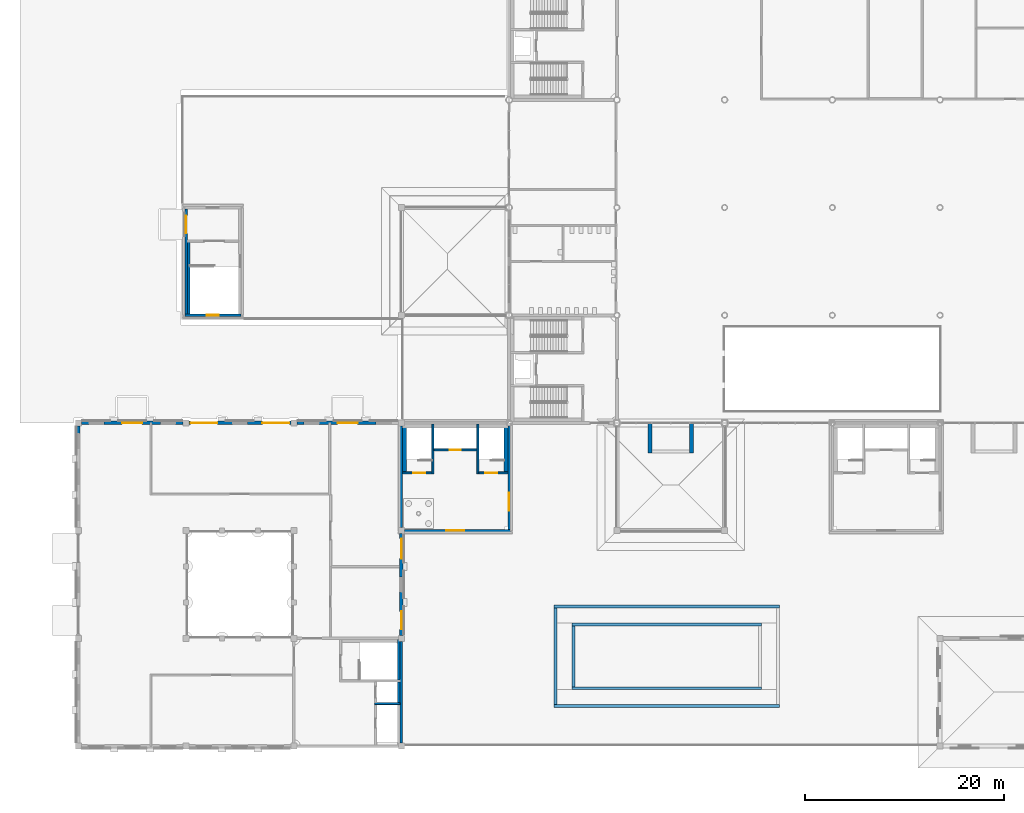
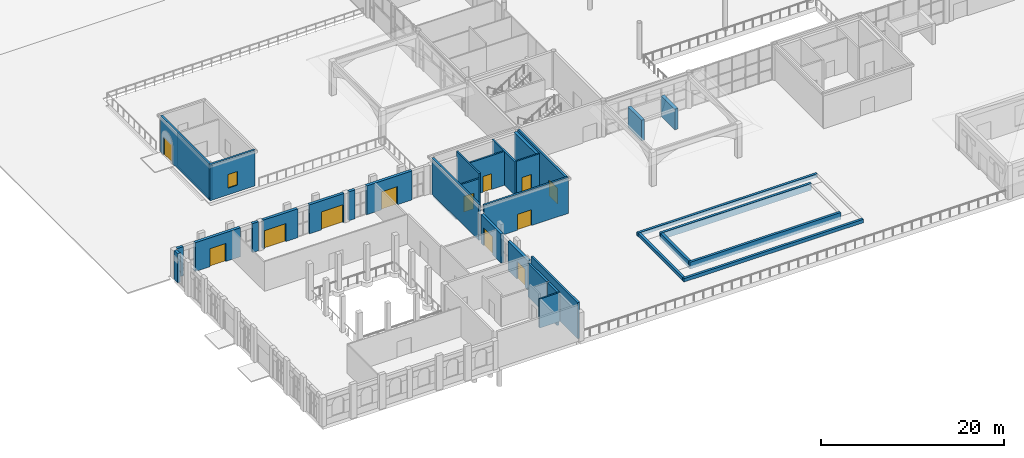
# One storey, part 45 of 91: 35 walls, 12 doors, 1 window, 13 openings.
"""IFC4 building model written with IfcOpenShell, lengths in metres."""

from ifc_helpers import new_model, si_unit, direction, frame, frame_2d, origin, place, context, subcontext, project, spatial, rectangle, extrude, material, layer, layer_set, type_object, element, fill, save


model = new_model("IFC4")

# Units and contexts
model_context = context("Model", 3, precision=1e-05, world=origin(), true_north=direction((0.0, 1.0)))
body_context = subcontext(model_context, "Body", "Model", "MODEL_VIEW")
ifc_project = project(units=[si_unit("LENGTHUNIT", "METRE"), si_unit("AREAUNIT", "SQUARE_METRE"), si_unit("VOLUMEUNIT", "CUBIC_METRE"), si_unit("PLANEANGLEUNIT", "RADIAN"), si_unit("MASSUNIT", "GRAM", prefix="KILO")], contexts=[model_context])

# Site, building, storey
site_placement = place(None, origin())
site = spatial("IfcSite", under=ifc_project, at=site_placement, CompositionType="ELEMENT")
building_placement = place(site_placement, origin())
building = spatial("IfcBuilding", under=site, at=building_placement, Name="Magnolia Steps Interchange", CompositionType="ELEMENT")
storey_placement = place(building_placement, origin())
storey = spatial("IfcBuildingStorey", under=building, at=storey_placement, Name="L00", CompositionType="ELEMENT", Elevation=0.0)

# Wall
ifc_material_1 = material(Name="Concrete C35", Category="concrete")
ifc_layer_1 = layer(ifc_material_1, 0.199951171875)
ifc_layer_set_1 = layer_set([ifc_layer_1], Name="Core enclosure wall 200")
wall_type_1 = type_object("IfcWallType", Name="Core enclosure wall 200", PredefinedType="SOLIDWALL", material=ifc_layer_set_1)
wall_1_placement = place(storey_placement, frame((21.050048828125, 60.72509765625, 0.0), z_axis=(0.0, 0.0, 1.0), x_axis=(0.0, -1.0, 0.0)))
element("IfcWall", 1, at=wall_1_placement, inside=storey, type_object=wall_type_1, Name="L00 BE-W enclosure wall", PredefinedType="SOLIDWALL", context=body_context, shape_type="SweptSolid", body=[
    extrude(rectangle(XDim=7.400146484375, YDim=0.25, at=frame_2d((3.7001953125, 0.0))), origin(), (0.0, 0.0, 1.0), 4.39990234375),
])

# Wall, opening, door
wall_2_placement = place(storey_placement, frame((42.52490234375, 37.39990234375, 0.0), z_axis=(0.0, 0.0, 1.0), x_axis=(1.0, 0.0, 0.0)))
wall_2 = element("IfcWall", 2, at=wall_2_placement, inside=storey, type_object=wall_type_1, Name="L00 BC1 enclosure wall", PredefinedType="SOLIDWALL", context=body_context, shape_type="SweptSolid", body=[
    extrude(rectangle(XDim=2.925048828125, YDim=0.199951171875, at=frame_2d((1.46240234375, 0.0))), origin(), (0.0, 0.0, 1.0), 3.85009765625),
])
opening_1_placement = place(wall_2_placement, frame((1.050048828125, 0.0, 0.0)))
opening_1 = element("IfcOpeningElement", 3, at=opening_1_placement, cuts=wall_2, Name="Opening D-BC1-L00-1", PredefinedType="OPENING", context=body_context, shape_type="SweptSolid", body=[
    extrude(rectangle(XDim=1.199951171875, YDim=2.10009765625, at=frame_2d((0.60009765625, 1.050048828125))), frame((0.0, 0.10986328125, 0.0), z_axis=(0.0, -1.0, 0.0), x_axis=(1.0, 0.0, 0.0)), (0.0, 0.0, 1.0), 0.219970703125),
])
ifc_material_2 = material(Name="Painted steel", Category="steel")
door_type_1 = type_object("IfcDoorType", Name="Stair fire door 1200x2100", OperationType="NOTDEFINED", PredefinedType="DOOR", material=ifc_material_2)
door_1_placement = place(opening_1_placement, frame((1.199951171875, 0.0, 0.0), z_axis=(0.0, 0.0, 1.0), x_axis=(-1.0, 0.0, 0.0)))
door_1 = element("IfcDoor", 4, at=door_1_placement, inside=storey, type_object=door_type_1, Name="Stair door ST17 L00", OperationType="SINGLE_SWING_LEFT", OverallHeight=2.10009765625, OverallWidth=1.199951171875, PredefinedType="DOOR", context=body_context, shape_type="SweptSolid", body=[
    extrude(rectangle(XDim=1.199951171875, YDim=2.10009765625, at=frame_2d((0.60009765625, 1.050048828125))), frame((0.0, 0.02490234375, 0.0), z_axis=(0.0, -1.0, 0.0), x_axis=(1.0, 0.0, 0.0)), (0.0, 0.0, 1.0), 0.050048828125),
])
fill(opening_1, door_1)

# Wall
wall_3_placement = place(storey_placement, frame((45.550048828125, 37.300048828125, 0.0), z_axis=(0.0, 0.0, 1.0), x_axis=(0.0, 1.0, 0.0)))
element("IfcWall", 5, at=wall_3_placement, inside=storey, type_object=wall_type_1, Name="L00 BC1 enclosure wall", PredefinedType="SOLIDWALL", context=body_context, shape_type="SweptSolid", body=[
    extrude(rectangle(XDim=4.974853515625, YDim=0.199951171875, at=frame_2d((2.4873046875, 0.0))), origin(), (0.0, 0.0, 1.0), 4.5),
])

# Wall, opening, door
wall_4_placement = place(storey_placement, frame((45.64990234375, 39.699951171875, 0.0), z_axis=(0.0, 0.0, 1.0), x_axis=(1.0, 0.0, 0.0)))
wall_4 = element("IfcWall", 6, at=wall_4_placement, inside=storey, type_object=wall_type_1, Name="L00 BC1 enclosure wall", PredefinedType="SOLIDWALL", context=body_context, shape_type="SweptSolid", body=[
    extrude(rectangle(XDim=4.300048828125, YDim=0.199951171875, at=frame_2d((2.14990234375, 0.0))), origin(), (0.0, 0.0, 1.0), 4.5),
])
opening_2_placement = place(wall_4_placement, frame((1.60009765625, 0.0, 0.0)))
opening_2 = element("IfcOpeningElement", 7, at=opening_2_placement, cuts=wall_4, Name="Opening LD", PredefinedType="OPENING", context=body_context, shape_type="SweptSolid", body=[
    extrude(rectangle(XDim=1.10009765625, YDim=2.10009765625, at=frame_2d((0.550048828125, 1.050048828125))), frame((0.0, 0.10986328125, 0.0), z_axis=(0.0, -1.0, 0.0), x_axis=(1.0, 0.0, 0.0)), (0.0, 0.0, 1.0), 0.219970703125),
])
ifc_material_3 = material(Name="Stainless steel grade 304", Category="steel")
door_type_2 = type_object("IfcDoorType", Name="Lift landing door 1100x2100", OperationType="DOUBLE_DOOR_SLIDING", PredefinedType="DOOR", material=ifc_material_3)
door_2_placement = place(opening_2_placement, frame((1.10009765625, 0.0, 0.0), z_axis=(0.0, 0.0, 1.0), x_axis=(-1.0, 0.0, 0.0)))
door_2 = element("IfcDoor", 8, at=door_2_placement, inside=storey, type_object=door_type_2, Name="Lift landing door LF8 L00", OperationType="DOUBLE_DOOR_SLIDING", OverallHeight=2.10009765625, OverallWidth=1.10009765625, PredefinedType="DOOR", context=body_context, shape_type="SweptSolid", body=[
    extrude(rectangle(XDim=1.10009765625, YDim=2.10009765625, at=frame_2d((0.550048828125, 1.050048828125))), frame((0.0, 0.02490234375, 0.0), z_axis=(0.0, -1.0, 0.0), x_axis=(1.0, 0.0, 0.0)), (0.0, 0.0, 1.0), 0.050048828125),
])
fill(opening_2, door_2)

# Wall
wall_5_placement = place(storey_placement, frame((50.050048828125, 37.300048828125, 0.0), z_axis=(0.0, 0.0, 1.0), x_axis=(0.0, 1.0, 0.0)))
element("IfcWall", 9, at=wall_5_placement, inside=storey, type_object=wall_type_1, Name="L00 BC1 enclosure wall", PredefinedType="SOLIDWALL", context=body_context, shape_type="SweptSolid", body=[
    extrude(rectangle(XDim=4.974853515625, YDim=0.199951171875, at=frame_2d((2.4873046875, 0.0))), origin(), (0.0, 0.0, 1.0), 4.5),
])

# Wall, opening, door
wall_6_placement = place(storey_placement, frame((50.14990234375, 37.39990234375, 0.0), z_axis=(0.0, 0.0, 1.0), x_axis=(1.0, 0.0, 0.0)))
wall_6 = element("IfcWall", 10, at=wall_6_placement, inside=storey, type_object=wall_type_1, Name="L00 BC1 enclosure wall", PredefinedType="SOLIDWALL", context=body_context, shape_type="SweptSolid", body=[
    extrude(rectangle(XDim=2.925048828125, YDim=0.199951171875, at=frame_2d((1.46240234375, 0.0))), origin(), (0.0, 0.0, 1.0), 4.5),
])
opening_3_placement = place(wall_6_placement, frame((0.675048828125, 0.0, 0.0)))
opening_3 = element("IfcOpeningElement", 11, at=opening_3_placement, cuts=wall_6, Name="Opening D-BC1-L00-2", PredefinedType="OPENING", context=body_context, shape_type="SweptSolid", body=[
    extrude(rectangle(XDim=1.199951171875, YDim=2.10009765625, at=frame_2d((0.60009765625, 1.050048828125))), frame((0.0, 0.10986328125, 0.0), z_axis=(0.0, -1.0, 0.0), x_axis=(1.0, 0.0, 0.0)), (0.0, 0.0, 1.0), 0.219970703125),
])
door_3_placement = place(opening_3_placement, frame((1.199951171875, 0.0, 0.0), z_axis=(0.0, 0.0, 1.0), x_axis=(-1.0, 0.0, 0.0)))
door_3 = element("IfcDoor", 12, at=door_3_placement, inside=storey, type_object=door_type_1, Name="Stair door ST18 L00", OperationType="SINGLE_SWING_RIGHT", OverallHeight=2.10009765625, OverallWidth=1.199951171875, PredefinedType="DOOR", context=body_context, shape_type="SweptSolid", body=[
    extrude(rectangle(XDim=1.199951171875, YDim=2.10009765625, at=frame_2d((0.60009765625, 1.050048828125))), frame((0.0, 0.02490234375, 0.0), z_axis=(0.0, -1.0, 0.0), x_axis=(1.0, 0.0, 0.0)), (0.0, 0.0, 1.0), 0.050048828125),
])
fill(opening_3, door_3)

# Walls
wall_7_placement = place(storey_placement, frame((39.699951171875, 14.25, 0.0), z_axis=(0.0, 0.0, 1.0), x_axis=(1.0, 0.0, 0.0)))
element("IfcWall", 13, at=wall_7_placement, inside=storey, type_object=wall_type_1, Name="L00 HB1 enclosure wall", PredefinedType="SOLIDWALL", context=body_context, shape_type="SweptSolid", body=[
    extrude(rectangle(XDim=2.574951171875, YDim=0.199951171875, at=frame_2d((1.28759765625, 0.0))), origin(), (0.0, 0.0, 1.0), 3.85009765625),
])
ifc_material_4 = material(Name="Concrete C35", Category="concrete")
ifc_layer_2 = layer(ifc_material_4, 0.27490234375)
ifc_layer_set_2 = layer_set([ifc_layer_2], Name="Core lining wall 275")
wall_type_2 = type_object("IfcWallType", Name="Core lining wall 275", PredefinedType="SOLIDWALL", material=ifc_layer_set_2)
wall_8_placement = place(storey_placement, frame((42.137451171875, 20.675048828125, -0.60009765625), z_axis=(0.0, 0.0, 1.0), x_axis=(0.0, -1.0, 0.0)))
element("IfcWall", 14, at=wall_8_placement, inside=storey, type_object=wall_type_2, Name="L00 HB1 stair lining wall", PredefinedType="SOLIDWALL", context=body_context, shape_type="SweptSolid", body=[
    extrude(rectangle(XDim=4.025146484375, YDim=0.27490234375, at=frame_2d((2.0126953125, 0.0))), origin(), (0.0, 0.0, 1.0), 4.4501953125),
])
wall_9_placement = place(storey_placement, frame((42.137451171875, 16.449951171875, -0.60009765625), z_axis=(0.0, 0.0, 1.0), x_axis=(0.0, -1.0, 0.0)))
element("IfcWall", 15, at=wall_9_placement, inside=storey, type_object=wall_type_2, Name="L00 HB1 stair lining wall", PredefinedType="SOLIDWALL", context=body_context, shape_type="SweptSolid", body=[
    extrude(rectangle(XDim=2.099853515625, YDim=0.27490234375, at=frame_2d((1.0498046875, 0.0))), origin(), (0.0, 0.0, 1.0), 4.4501953125),
])
ifc_material_5 = material(Name="Concrete C35", Category="concrete")
ifc_layer_3 = layer(ifc_material_5, 0.375)
ifc_layer_set_3 = layer_set([ifc_layer_3], Name="Core lining wall 375")
wall_type_3 = type_object("IfcWallType", Name="Core lining wall 375", PredefinedType="SOLIDWALL", material=ifc_layer_set_3)
wall_10_placement = place(storey_placement, frame((42.71240234375, 37.300048828125, -0.60009765625), z_axis=(0.0, 0.0, 1.0), x_axis=(0.0, 1.0, 0.0)))
element("IfcWall", 16, at=wall_10_placement, inside=storey, type_object=wall_type_3, Name="L00 BC1 stair lining wall", PredefinedType="SOLIDWALL", context=body_context, shape_type="SweptSolid", body=[
    extrude(rectangle(XDim=4.974853515625, YDim=0.375, at=frame_2d((2.4873046875, 0.0))), origin(), (0.0, 0.0, 1.0), 4.4501953125),
])
wall_11_placement = place(storey_placement, frame((52.887451171875, 37.300048828125, -0.60009765625), z_axis=(0.0, 0.0, 1.0), x_axis=(0.0, 1.0, 0.0)))
element("IfcWall", 17, at=wall_11_placement, inside=storey, type_object=wall_type_3, Name="L00 BC1 stair lining wall", PredefinedType="SOLIDWALL", context=body_context, shape_type="SweptSolid", body=[
    extrude(rectangle(XDim=4.974853515625, YDim=0.375, at=frame_2d((2.4873046875, 0.0))), origin(), (0.0, 0.0, 1.0), 5.10009765625),
])

# Wall, opening, window
ifc_material_6 = material(Name="Concrete C40", Category="concrete")
ifc_layer_4 = layer(ifc_material_6, 0.25)
ifc_layer_set_4 = layer_set([ifc_layer_4], Name="Core wall 250")
wall_type_4 = type_object("IfcWallType", Name="Core wall 250", PredefinedType="SOLIDWALL", material=ifc_layer_set_4)
wall_12_placement = place(storey_placement, frame((20.675048828125, 53.199951171875, 0.0), z_axis=(0.0, 0.0, 1.0), x_axis=(1.0, 0.0, 0.0)))
wall_12 = element("IfcWall", 18, at=wall_12_placement, inside=storey, type_object=wall_type_4, Name="Core wall BE-W", PredefinedType="SOLIDWALL", context=body_context, shape_type="SweptSolid", body=[
    extrude(rectangle(XDim=5.64990234375, YDim=0.25, at=frame_2d((2.824951171875, 0.0))), origin(), (0.0, 0.0, 1.0), 4.800048828125),
])
opening_4_placement = place(wall_12_placement, frame((2.22509765625, 0.0, 0.89990234375)))
opening_4 = element("IfcOpeningElement", 19, at=opening_4_placement, cuts=wall_12, Name="Opening WN9", PredefinedType="OPENING", context=body_context, shape_type="SweptSolid", body=[
    extrude(rectangle(XDim=1.199951171875, YDim=1.800048828125, at=frame_2d((0.60009765625, 0.89990234375))), frame((0.0, 0.135009765625, 0.0), z_axis=(0.0, -1.0, 0.0), x_axis=(1.0, 0.0, 0.0)), (0.0, 0.0, 1.0), 0.27001953125),
])
ifc_material_7 = material(Name="Timber frame with double glazing", Category="wood")
window_type = type_object("IfcWindowType", Name="Casement window 1200 x 1800", PartitioningType="DOUBLE_PANEL_VERTICAL", PredefinedType="WINDOW", material=ifc_material_7)
window_placement = place(opening_4_placement, origin())
window = element("IfcWindow", 20, at=window_placement, inside=storey, type_object=window_type, Name="Pavilion window BE-W S", OverallHeight=1.800048828125, OverallWidth=1.199951171875, PartitioningType="SINGLE_PANEL", PredefinedType="WINDOW", context=body_context, shape_type="SweptSolid", body=[
    extrude(rectangle(XDim=1.199951171875, YDim=1.800048828125, at=frame_2d((0.60009765625, 0.89990234375))), frame((0.0, 0.030029296875, 0.0), z_axis=(0.0, -1.0, 0.0), x_axis=(1.0, 0.0, 0.0)), (0.0, 0.0, 1.0), 0.06005859375),
])
fill(opening_4, window)

# Wall, opening, door
wall_13_placement = place(storey_placement, frame((20.800048828125, 63.875, 0.0), z_axis=(0.0, 0.0, 1.0), x_axis=(0.0, -1.0, 0.0)))
wall_13 = element("IfcWall", 21, at=wall_13_placement, inside=storey, type_object=wall_type_4, Name="Core wall BE-W", PredefinedType="SOLIDWALL", context=body_context, shape_type="SweptSolid", body=[
    extrude(rectangle(XDim=10.550048828125, YDim=0.25, at=frame_2d((5.27490234375, 0.0))), origin(), (0.0, 0.0, 1.0), 4.800048828125),
])
opening_5_placement = place(wall_13_placement, frame((0.675048828125, 0.0, 0.0)))
opening_5 = element("IfcOpeningElement", 22, at=opening_5_placement, cuts=wall_13, Name="Opening E29", PredefinedType="OPENING", context=body_context, shape_type="SweptSolid", body=[
    extrude(rectangle(XDim=1.800048828125, YDim=2.39990234375, at=frame_2d((0.89990234375, 1.199951171875))), frame((0.0, 0.135009765625, 0.0), z_axis=(0.0, -1.0, 0.0), x_axis=(1.0, 0.0, 0.0)), (0.0, 0.0, 1.0), 0.27001953125),
])
ifc_material_8 = material(Name="Timber", Category="wood")
door_type_3 = type_object("IfcDoorType", Name="Pavilion entrance door 1800 x 2400", OperationType="DOUBLE_DOOR_DOUBLE_SWING", PredefinedType="DOOR", material=ifc_material_8)
door_4_placement = place(opening_5_placement, frame((1.800048828125, 0.0, 0.0), z_axis=(0.0, 0.0, 1.0), x_axis=(-1.0, 0.0, 0.0)))
door_4 = element("IfcDoor", 23, at=door_4_placement, inside=storey, type_object=door_type_3, Name="Metro entrance doors BE-W", OperationType="DOUBLE_DOOR_DOUBLE_SWING", OverallHeight=2.39990234375, OverallWidth=1.800048828125, PredefinedType="DOOR", context=body_context, shape_type="SweptSolid", body=[
    extrude(rectangle(XDim=1.800048828125, YDim=2.39990234375, at=frame_2d((0.89990234375, 1.199951171875))), frame((0.0, 0.02490234375, 0.0), z_axis=(0.0, -1.0, 0.0), x_axis=(1.0, 0.0, 0.0)), (0.0, 0.0, 1.0), 0.050048828125),
])
fill(opening_5, door_4)

wall_14_placement = place(storey_placement, frame((42.699951171875, 31.60009765625, 0.0), z_axis=(0.0, 0.0, 1.0), x_axis=(1.0, 0.0, 0.0)))
wall_14 = element("IfcWall", 24, at=wall_14_placement, inside=storey, type_object=wall_type_4, Name="Core wall BC1", PredefinedType="SOLIDWALL", context=body_context, shape_type="SweptSolid", body=[
    extrude(rectangle(XDim=10.625, YDim=0.25, at=frame_2d((5.3125, 0.0))), origin(), (0.0, 0.0, 1.0), 4.800048828125),
])
opening_6_placement = place(wall_14_placement, frame((4.199951171875, 0.0, 0.0)))
opening_6 = element("IfcOpeningElement", 25, at=opening_6_placement, cuts=wall_14, Name="Opening D-BC1-L00-3", PredefinedType="OPENING", context=body_context, shape_type="SweptSolid", body=[
    extrude(rectangle(XDim=1.800048828125, YDim=2.10009765625, at=frame_2d((0.89990234375, 1.050048828125))), frame((0.0, 0.135009765625, 0.0), z_axis=(0.0, -1.0, 0.0), x_axis=(1.0, 0.0, 0.0)), (0.0, 0.0, 1.0), 0.27001953125),
])
ifc_material_9 = material(Name="Timber and glass", Category="wood")
door_type_4 = type_object("IfcDoorType", Name="Core entrance door pair 1800x2100", OperationType="DOUBLE_DOOR_DOUBLE_SWING", PredefinedType="DOOR", material=ifc_material_9)
door_5_placement = place(opening_6_placement, frame((1.800048828125, 0.0, 0.0), z_axis=(0.0, 0.0, 1.0), x_axis=(-1.0, 0.0, 0.0)))
door_5 = element("IfcDoor", 26, at=door_5_placement, inside=storey, type_object=door_type_4, Name="Core entrance door BC1 L00", OperationType="DOUBLE_DOOR_DOUBLE_SWING", OverallHeight=2.10009765625, OverallWidth=1.800048828125, PredefinedType="DOOR", context=body_context, shape_type="SweptSolid", body=[
    extrude(rectangle(XDim=1.800048828125, YDim=2.10009765625, at=frame_2d((0.89990234375, 1.050048828125))), frame((0.0, 0.02490234375, 0.0), z_axis=(0.0, -1.0, 0.0), x_axis=(1.0, 0.0, 0.0)), (0.0, 0.0, 1.0), 0.050048828125),
])
fill(opening_6, door_5)

wall_15_placement = place(storey_placement, frame((53.199951171875, 31.72509765625, 0.0), z_axis=(0.0, 0.0, 1.0), x_axis=(0.0, 1.0, 0.0)))
wall_15 = element("IfcWall", 27, at=wall_15_placement, inside=storey, type_object=wall_type_4, Name="Core wall BC1", PredefinedType="SOLIDWALL", context=body_context, shape_type="SweptSolid", body=[
    extrude(rectangle(XDim=10.369873046875, YDim=0.25, at=frame_2d((5.18505859375, 0.0))), origin(), (0.0, 0.0, 1.0), 4.800048828125),
])
opening_7_placement = place(wall_15_placement, frame((1.887939453125, 0.0, 0.0)))
opening_7 = element("IfcOpeningElement", 28, at=opening_7_placement, cuts=wall_15, Name="Opening D-BC1-L00-4", PredefinedType="OPENING", context=body_context, shape_type="SweptSolid", body=[
    extrude(rectangle(XDim=1.800048828125, YDim=2.10009765625, at=frame_2d((0.89990234375, 1.050048828125))), frame((0.0, 0.135009765625, 0.0), z_axis=(0.0, -1.0, 0.0), x_axis=(1.0, 0.0, 0.0)), (0.0, 0.0, 1.0), 0.27001953125),
])
door_6_placement = place(opening_7_placement, frame((1.800048828125, 0.0, 0.0), z_axis=(0.0, 0.0, 1.0), x_axis=(-1.0, 0.0, 0.0)))
door_6 = element("IfcDoor", 29, at=door_6_placement, inside=storey, type_object=door_type_4, Name="Core entrance door BC1 L00", OperationType="DOUBLE_DOOR_DOUBLE_SWING", OverallHeight=2.10009765625, OverallWidth=1.800048828125, PredefinedType="DOOR", context=body_context, shape_type="SweptSolid", body=[
    extrude(rectangle(XDim=1.800048828125, YDim=2.10009765625, at=frame_2d((0.89990234375, 1.050048828125))), frame((0.0, 0.02490234375, 0.0), z_axis=(0.0, -1.0, 0.0), x_axis=(1.0, 0.0, 0.0)), (0.0, 0.0, 1.0), 0.050048828125),
])
fill(opening_7, door_6)

# Walls
wall_16_placement = place(storey_placement, frame((42.39990234375, 42.10009765625, 0.0), z_axis=(0.0, 0.0, 1.0), x_axis=(0.0, -1.0, 0.0)))
element("IfcWall", 30, at=wall_16_placement, inside=storey, type_object=wall_type_4, Name="Core wall BC1", PredefinedType="SOLIDWALL", context=body_context, shape_type="SweptSolid", body=[
    extrude(rectangle(XDim=10.2001953125, YDim=0.25, at=frame_2d((5.10009765625, 0.0))), origin(), (0.0, 0.0, 1.0), 4.800048828125),
])
wall_17_placement = place(storey_placement, frame((42.39990234375, 10.300048828125, 0.0), z_axis=(0.0, 0.0, 1.0), x_axis=(0.0, 1.0, 0.0)))
element("IfcWall", 31, at=wall_17_placement, inside=storey, type_object=wall_type_4, Name="Core wall HB1", PredefinedType="SOLIDWALL", context=body_context, shape_type="SweptSolid", body=[
    extrude(rectangle(XDim=10.199951171875, YDim=0.25, at=frame_2d((5.10009765625, 0.0))), origin(), (0.0, 0.0, 1.0), 4.800048828125),
])
ifc_material_10 = material(Name="Lime render on masonry", Category="masonry")
ifc_layer_5 = layer(ifc_material_10, 0.39990234375)
ifc_layer_set_5 = layer_set([ifc_layer_5], Name="Entrance porch pier wall 400")
wall_type_5 = type_object("IfcWallType", Name="Entrance porch pier wall 400", PredefinedType="SOLIDWALL", material=ifc_layer_set_5)
for number, where, z_axis, x_axis, name in (
    (32, (67.300048828125, 42.385986328125, 0.0), (0.0, 0.0, 1.0), (0.0, -1.0, 0.0), "Entrance porch pier 2W"),
    (33, (71.5, 42.385986328125, 0.0), (0.0, 0.0, 1.0), (0.0, -1.0, 0.0), "Entrance porch pier 2E"),
):
    element("IfcWall", number, at=place(storey_placement, frame(where, z_axis=z_axis, x_axis=x_axis)), inside=storey, type_object=wall_type_5, Name=name, PredefinedType="SOLIDWALL", context=body_context, shape_type="SweptSolid", body=[
        extrude(rectangle(XDim=2.986083984375, YDim=0.39990234375, at=frame_2d((1.4931640625, 0.0))), origin(), (0.0, 0.0, 1.0), 2.75),
    ])
ifc_material_11 = material(Name="Lime render on masonry", Category="masonry")
ifc_layer_6 = layer(ifc_material_11, 0.35009765625)
ifc_layer_set_6 = layer_set([ifc_layer_6], Name="Lime render wall 350")
wall_type_6 = type_object("IfcWallType", Name="Lime render wall 350", PredefinedType="SOLIDWALL", material=ifc_layer_set_6)
for number, where, z_axis, x_axis, name in (
    (34, (10.0, 41.35009765625, 0.0), (0.0, 0.0, 1.0), (0.0, 1.0, 0.0), "Cycle hub west wall L00 pier 15"),
    (35, (10.300048828125, 42.39990234375, 0.0), (0.0, 0.0, 1.0), (1.0, 0.0, 0.0), "Cycle hub north wall L00 pier 1"),
):
    element("IfcWall", number, at=place(storey_placement, frame(where, z_axis=z_axis, x_axis=x_axis)), inside=storey, type_object=wall_type_6, Name=name, PredefinedType="SOLIDWALL", context=body_context, shape_type="SweptSolid", body=[
        extrude(rectangle(XDim=0.75, YDim=0.35009765625, at=frame_2d((0.375, 0.0))), origin(), (0.0, 0.0, 1.0), 3.85009765625),
    ])

# Wall, opening, door
wall_18_placement = place(storey_placement, frame((12.550048828125, 42.39990234375, 0.0), z_axis=(0.0, 0.0, 1.0), x_axis=(1.0, 0.0, 0.0)))
wall_18 = element("IfcWall", 36, at=wall_18_placement, inside=storey, type_object=wall_type_6, Name="Cycle hub north wall L00 pier 3", PredefinedType="SOLIDWALL", context=body_context, shape_type="SweptSolid", body=[
    extrude(rectangle(XDim=5.699951171875, YDim=0.35009765625, at=frame_2d((2.85009765625, 0.0))), origin(), (0.0, 0.0, 1.0), 3.85009765625),
])
opening_8_placement = place(wall_18_placement, frame((1.85009765625, 0.0, 0.0)))
opening_8 = element("IfcOpeningElement", 37, at=opening_8_placement, cuts=wall_18, Name="Opening E18", PredefinedType="OPENING", context=body_context, shape_type="SweptSolid", body=[
    extrude(rectangle(XDim=2.0, YDim=2.39990234375, at=frame_2d((1.0, 1.199951171875))), frame((0.0, 0.18505859375, 0.0), z_axis=(0.0, -1.0, 0.0), x_axis=(1.0, 0.0, 0.0)), (0.0, 0.0, 1.0), 0.3701171875),
])
ifc_material_12 = material(Name="Aluminium and glass", Category="aluminium")
door_type_5 = type_object("IfcDoorType", Name="Glazed lobby double door 2000 x 2400", OperationType="DOUBLE_DOOR_SINGLE_SWING", PredefinedType="DOOR", material=ifc_material_12)
door_7_placement = place(opening_8_placement, origin())
door_7 = element("IfcDoor", 38, at=door_7_placement, inside=storey, type_object=door_type_5, Name="Cycle hub north entrance doors", OperationType="DOUBLE_DOOR_SINGLE_SWING", OverallHeight=2.39990234375, OverallWidth=2.0, PredefinedType="DOOR", context=body_context, shape_type="SweptSolid", body=[
    extrude(rectangle(XDim=2.0, YDim=2.39990234375, at=frame_2d((1.0, 1.199951171875))), frame((0.0, 0.02490234375, 0.0), z_axis=(0.0, -1.0, 0.0), x_axis=(1.0, 0.0, 0.0)), (0.0, 0.0, 1.0), 0.050048828125),
])
fill(opening_8, door_7)

# Wall
wall_19_placement = place(storey_placement, frame((19.75, 42.39990234375, 0.0), z_axis=(0.0, 0.0, 1.0), x_axis=(1.0, 0.0, 0.0)))
element("IfcWall", 39, at=wall_19_placement, inside=storey, type_object=wall_type_6, Name="Cycle hub north wall L00 pier 5", PredefinedType="SOLIDWALL", context=body_context, shape_type="SweptSolid", body=[
    extrude(rectangle(XDim=0.75, YDim=0.35009765625, at=frame_2d((0.375, 0.0))), origin(), (0.0, 0.0, 1.0), 3.85009765625),
])

# Wall, opening, door
wall_20_placement = place(storey_placement, frame((21.10009765625, 42.39990234375, 0.0), z_axis=(0.0, 0.0, 1.0), x_axis=(1.0, 0.0, 0.0)))
wall_20 = element("IfcWall", 40, at=wall_20_placement, inside=storey, type_object=wall_type_6, Name="Cycle hub north wall L00 pier 5", PredefinedType="SOLIDWALL", context=body_context, shape_type="SweptSolid", body=[
    extrude(rectangle(XDim=4.349853515625, YDim=0.35009765625, at=frame_2d((2.1748046875, 0.0))), origin(), (0.0, 0.0, 1.0), 3.85009765625),
])
opening_9_placement = place(wall_20_placement, frame((0.14990234375, 0.0, 0.0)))
opening_9 = element("IfcOpeningElement", 41, at=opening_9_placement, cuts=wall_20, Name="Opening E19", PredefinedType="OPENING", context=body_context, shape_type="SweptSolid", body=[
    extrude(rectangle(XDim=2.699951171875, YDim=2.39990234375, at=frame_2d((1.35009765625, 1.199951171875))), frame((0.0, 0.18505859375, 0.0), z_axis=(0.0, -1.0, 0.0), x_axis=(1.0, 0.0, 0.0)), (0.0, 0.0, 1.0), 0.3701171875),
])
ifc_material_13 = material(Name="Aluminium and glass", Category="aluminium")
door_type_6 = type_object("IfcDoorType", Name="Cycle hub sliding door 2700 x 2400", OperationType="DOUBLE_DOOR_SLIDING", PredefinedType="DOOR", material=ifc_material_13)
door_8_placement = place(opening_9_placement, origin())
door_8 = element("IfcDoor", 42, at=door_8_placement, inside=storey, type_object=door_type_6, Name="Cycle hub north bicycle doors 3", OperationType="DOUBLE_DOOR_SLIDING", OverallHeight=2.39990234375, OverallWidth=2.699951171875, PredefinedType="DOOR", context=body_context, shape_type="SweptSolid", body=[
    extrude(rectangle(XDim=2.699951171875, YDim=2.39990234375, at=frame_2d((1.35009765625, 1.199951171875))), frame((0.0, 0.02490234375, 0.0), z_axis=(0.0, -1.0, 0.0), x_axis=(1.0, 0.0, 0.0)), (0.0, 0.0, 1.0), 0.050048828125),
])
fill(opening_9, door_8)

wall_21_placement = place(storey_placement, frame((26.949951171875, 42.39990234375, 0.0), z_axis=(0.0, 0.0, 1.0), x_axis=(1.0, 0.0, 0.0)))
wall_21 = element("IfcWall", 43, at=wall_21_placement, inside=storey, type_object=wall_type_6, Name="Cycle hub north wall L00 pier 7", PredefinedType="SOLIDWALL", context=body_context, shape_type="SweptSolid", body=[
    extrude(rectangle(XDim=4.35009765625, YDim=0.35009765625, at=frame_2d((2.175048828125, 0.0))), origin(), (0.0, 0.0, 1.0), 3.85009765625),
])
opening_10_placement = place(wall_21_placement, frame((1.5, 0.0, 0.0)))
opening_10 = element("IfcOpeningElement", 44, at=opening_10_placement, cuts=wall_21, Name="Opening E20", PredefinedType="OPENING", context=body_context, shape_type="SweptSolid", body=[
    extrude(rectangle(XDim=2.699951171875, YDim=2.39990234375, at=frame_2d((1.35009765625, 1.199951171875))), frame((0.0, 0.18505859375, 0.0), z_axis=(0.0, -1.0, 0.0), x_axis=(1.0, 0.0, 0.0)), (0.0, 0.0, 1.0), 0.3701171875),
])
door_9_placement = place(opening_10_placement, origin())
door_9 = element("IfcDoor", 45, at=door_9_placement, inside=storey, type_object=door_type_6, Name="Cycle hub north bicycle doors 5", OperationType="DOUBLE_DOOR_SLIDING", OverallHeight=2.39990234375, OverallWidth=2.699951171875, PredefinedType="DOOR", context=body_context, shape_type="SweptSolid", body=[
    extrude(rectangle(XDim=2.699951171875, YDim=2.39990234375, at=frame_2d((1.35009765625, 1.199951171875))), frame((0.0, 0.02490234375, 0.0), z_axis=(0.0, -1.0, 0.0), x_axis=(1.0, 0.0, 0.0)), (0.0, 0.0, 1.0), 0.050048828125),
])
fill(opening_10, door_9)

# Wall
wall_22_placement = place(storey_placement, frame((31.89990234375, 42.39990234375, 0.0), z_axis=(0.0, 0.0, 1.0), x_axis=(1.0, 0.0, 0.0)))
element("IfcWall", 46, at=wall_22_placement, inside=storey, type_object=wall_type_6, Name="Cycle hub north wall L00 pier 7", PredefinedType="SOLIDWALL", context=body_context, shape_type="SweptSolid", body=[
    extrude(rectangle(XDim=0.75, YDim=0.35009765625, at=frame_2d((0.375, 0.0))), origin(), (0.0, 0.0, 1.0), 3.85009765625),
])

# Wall, opening, door
wall_23_placement = place(storey_placement, frame((34.14990234375, 42.39990234375, 0.0), z_axis=(0.0, 0.0, 1.0), x_axis=(1.0, 0.0, 0.0)))
wall_23 = element("IfcWall", 47, at=wall_23_placement, inside=storey, type_object=wall_type_6, Name="Cycle hub north wall L00 pier 9", PredefinedType="SOLIDWALL", context=body_context, shape_type="SweptSolid", body=[
    extrude(rectangle(XDim=5.7001953125, YDim=0.35009765625, at=frame_2d((2.85009765625, 0.0))), origin(), (0.0, 0.0, 1.0), 3.85009765625),
])
opening_11_placement = place(wall_23_placement, frame((1.85009765625, 0.0, 0.0)))
opening_11 = element("IfcOpeningElement", 48, at=opening_11_placement, cuts=wall_23, Name="Opening E21", PredefinedType="OPENING", context=body_context, shape_type="SweptSolid", body=[
    extrude(rectangle(XDim=2.0, YDim=2.39990234375, at=frame_2d((1.0, 1.199951171875))), frame((0.0, 0.18505859375, 0.0), z_axis=(0.0, -1.0, 0.0), x_axis=(1.0, 0.0, 0.0)), (0.0, 0.0, 1.0), 0.3701171875),
])
door_10_placement = place(opening_11_placement, origin())
door_10 = element("IfcDoor", 49, at=door_10_placement, inside=storey, type_object=door_type_5, Name="Cycle hub north exit doors", OperationType="DOUBLE_DOOR_SINGLE_SWING", OverallHeight=2.39990234375, OverallWidth=2.0, PredefinedType="DOOR", context=body_context, shape_type="SweptSolid", body=[
    extrude(rectangle(XDim=2.0, YDim=2.39990234375, at=frame_2d((1.0, 1.199951171875))), frame((0.0, 0.02490234375, 0.0), z_axis=(0.0, -1.0, 0.0), x_axis=(1.0, 0.0, 0.0)), (0.0, 0.0, 1.0), 0.050048828125),
])
fill(opening_11, door_10)

wall_24_placement = place(storey_placement, frame((42.39990234375, 21.10009765625, 0.0), z_axis=(0.0, 0.0, 1.0), x_axis=(0.0, 1.0, 0.0)))
wall_24 = element("IfcWall", 50, at=wall_24_placement, inside=storey, type_object=wall_type_6, Name="Cycle hub east wall L00 pier 1", PredefinedType="SOLIDWALL", context=body_context, shape_type="SweptSolid", body=[
    extrude(rectangle(XDim=4.349853515625, YDim=0.35009765625, at=frame_2d((2.1748046875, 0.0))), origin(), (0.0, 0.0, 1.0), 3.85009765625),
])
opening_12_placement = place(wall_24_placement, frame((0.60009765625, 0.0, 0.0)))
opening_12 = element("IfcOpeningElement", 51, at=opening_12_placement, cuts=wall_24, Name="Opening E22", PredefinedType="OPENING", context=body_context, shape_type="SweptSolid", body=[
    extrude(rectangle(XDim=1.800048828125, YDim=2.39990234375, at=frame_2d((0.89990234375, 1.199951171875))), frame((0.0, 0.18505859375, 0.0), z_axis=(0.0, -1.0, 0.0), x_axis=(1.0, 0.0, 0.0)), (0.0, 0.0, 1.0), 0.3701171875),
])
ifc_material_14 = material(Name="Timber", Category="wood")
door_type_7 = type_object("IfcDoorType", Name="Timber double door 1800 x 2400", OperationType="DOUBLE_DOOR_DOUBLE_SWING", PredefinedType="DOOR", material=ifc_material_14)
door_11_placement = place(opening_12_placement, origin())
door_11 = element("IfcDoor", 52, at=door_11_placement, inside=storey, type_object=door_type_7, Name="Cycle hub forecourt doors", OperationType="DOUBLE_DOOR_DOUBLE_SWING", OverallHeight=2.39990234375, OverallWidth=1.800048828125, PredefinedType="DOOR", context=body_context, shape_type="SweptSolid", body=[
    extrude(rectangle(XDim=1.800048828125, YDim=2.39990234375, at=frame_2d((0.89990234375, 1.199951171875))), frame((0.0, 0.02490234375, 0.0), z_axis=(0.0, -1.0, 0.0), x_axis=(1.0, 0.0, 0.0)), (0.0, 0.0, 1.0), 0.050048828125),
])
fill(opening_12, door_11)

wall_25_placement = place(storey_placement, frame((42.39990234375, 26.949951171875, 0.0), z_axis=(0.0, 0.0, 1.0), x_axis=(0.0, 1.0, 0.0)))
wall_25 = element("IfcWall", 53, at=wall_25_placement, inside=storey, type_object=wall_type_6, Name="Cycle hub east wall L00 pier 3", PredefinedType="SOLIDWALL", context=body_context, shape_type="SweptSolid", body=[
    extrude(rectangle(XDim=4.35009765625, YDim=0.35009765625, at=frame_2d((2.175048828125, 0.0))), origin(), (0.0, 0.0, 1.0), 3.85009765625),
])
opening_13_placement = place(wall_25_placement, frame((1.85009765625, 0.0, 0.0)))
opening_13 = element("IfcOpeningElement", 54, at=opening_13_placement, cuts=wall_25, Name="Opening E23", PredefinedType="OPENING", context=body_context, shape_type="SweptSolid", body=[
    extrude(rectangle(XDim=2.0, YDim=2.39990234375, at=frame_2d((1.0, 1.199951171875))), frame((0.0, 0.18505859375, 0.0), z_axis=(0.0, -1.0, 0.0), x_axis=(1.0, 0.0, 0.0)), (0.0, 0.0, 1.0), 0.3701171875),
])
door_12_placement = place(opening_13_placement, origin())
door_12 = element("IfcDoor", 55, at=door_12_placement, inside=storey, type_object=door_type_5, Name="Cycle hub shop doors", OperationType="DOUBLE_DOOR_SINGLE_SWING", OverallHeight=2.39990234375, OverallWidth=2.0, PredefinedType="DOOR", context=body_context, shape_type="SweptSolid", body=[
    extrude(rectangle(XDim=2.0, YDim=2.39990234375, at=frame_2d((1.0, 1.199951171875))), frame((0.0, 0.02490234375, 0.0), z_axis=(0.0, -1.0, 0.0), x_axis=(1.0, 0.0, 0.0)), (0.0, 0.0, 1.0), 0.050048828125),
])
fill(opening_13, door_12)

# Walls
ifc_material_15 = material(Name="Lime render on masonry", Category="masonry")
ifc_layer_7 = layer(ifc_material_15, 0.300048828125)
ifc_layer_set_7 = layer_set([ifc_layer_7], Name="Planter wall 300")
wall_type_7 = type_object("IfcWallType", Name="Planter wall 300", PredefinedType="PARAPET", material=ifc_layer_set_7)
for number, where, z_axis, x_axis, name in (
    (56, (57.699951171875, 14.0, 0.0), (0.0, 0.0, 1.0), (1.0, 0.0, 0.0), "Forecourt garden bed 1 wall S"),
    (57, (80.300048828125, 24.0, 0.0), (0.0, 0.0, 1.0), (-1.0, 0.0, 0.0), "Forecourt garden bed 1 wall N"),
):
    element("IfcWall", number, at=place(storey_placement, frame(where, z_axis=z_axis, x_axis=x_axis)), inside=storey, type_object=wall_type_7, Name=name, PredefinedType="PARAPET", context=body_context, shape_type="SweptSolid", body=[
        extrude(rectangle(XDim=22.60009765625, YDim=0.300048828125, at=frame_2d((11.300048828125, 0.0))), origin(), (0.0, 0.0, 1.0), 0.449951171875),
    ])
wall_26_placement = place(storey_placement, frame((57.85009765625, 23.85009765625, 0.0), z_axis=(0.0, 0.0, 1.0), x_axis=(0.0, -1.0, 0.0)))
element("IfcWall", 58, at=wall_26_placement, inside=storey, type_object=wall_type_7, Name="Forecourt garden bed 1 wall W", PredefinedType="PARAPET", context=body_context, shape_type="SweptSolid", body=[
    extrude(rectangle(XDim=9.7001953125, YDim=0.300048828125, at=frame_2d((4.85009765625, 0.0))), origin(), (0.0, 0.0, 1.0), 0.449951171875),
])
for number, where, z_axis, x_axis, name in (
    (59, (59.5, 15.800048828125, 0.0), (0.0, 0.0, 1.0), (1.0, 0.0, 0.0), "Forecourt garden bed 1 inner wall S"),
    (60, (78.5, 22.199951171875, 0.0), (0.0, 0.0, 1.0), (-1.0, 0.0, 0.0), "Forecourt garden bed 1 inner wall N"),
):
    element("IfcWall", number, at=place(storey_placement, frame(where, z_axis=z_axis, x_axis=x_axis)), inside=storey, type_object=wall_type_7, Name=name, PredefinedType="PARAPET", context=body_context, shape_type="SweptSolid", body=[
        extrude(rectangle(XDim=19.0, YDim=0.300048828125, at=frame_2d((9.5, 0.0))), origin(), (0.0, 0.0, 1.0), 0.89990234375),
    ])
wall_27_placement = place(storey_placement, frame((59.64990234375, 22.050048828125, 0.0), z_axis=(0.0, 0.0, 1.0), x_axis=(0.0, -1.0, 0.0)))
element("IfcWall", 61, at=wall_27_placement, inside=storey, type_object=wall_type_7, Name="Forecourt garden bed 1 inner wall W", PredefinedType="PARAPET", context=body_context, shape_type="SweptSolid", body=[
    extrude(rectangle(XDim=6.10009765625, YDim=0.300048828125, at=frame_2d((3.050048828125, 0.0))), origin(), (0.0, 0.0, 1.0), 0.89990234375),
])

save(model, "model.ifc")
